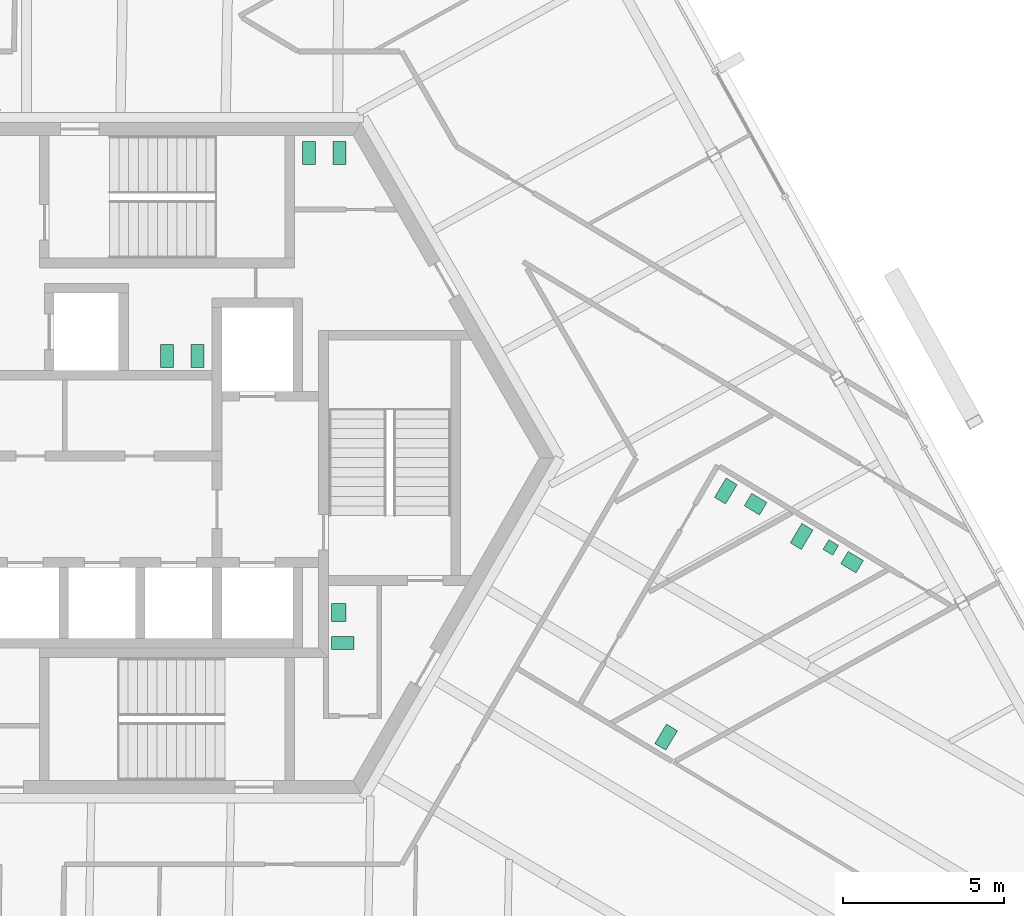
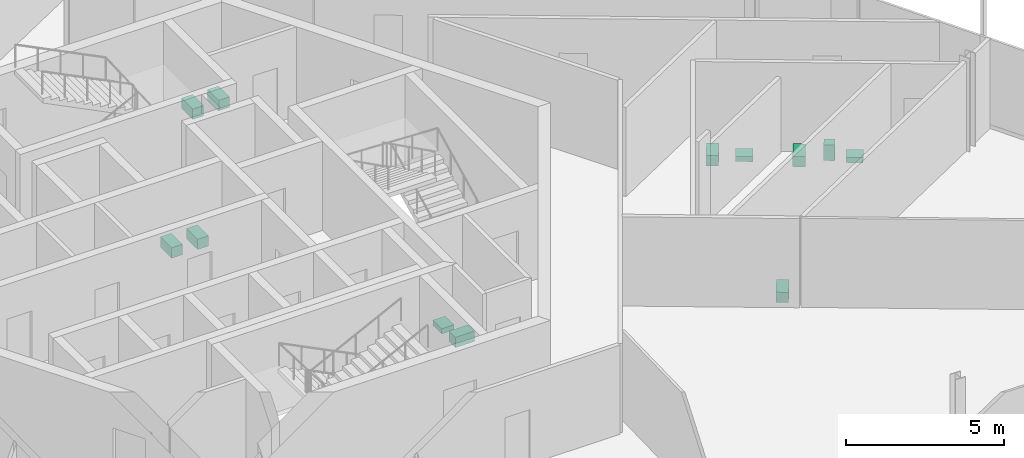
# One storey, part 19 of 21: 12 sanitary terminals.
"""IFC4 building model written with IfcOpenShell, lengths in metres."""

import ifcopenshell
import ifcopenshell.guid

model = None  # the IFC model being written
_history = None  # IfcOwnerHistory: only IFC2X3 demands one
_inside = {}  # id of a spatial element -> (the spatial element, [elements in it])
_under = {}  # id of a project, library or spatial element -> (it, [spatial elements below it])
_declared = {}  # id of a project -> (the project, [libraries it declares])
_typed = {}  # id of a type object -> (the type object, [elements of that type])
_made_of = {}  # id of a material, layer set ... -> (it, [elements and type objects made of it])


def new_model(schema):
    """Start an empty IFC model of exactly this schema.

    Asked for "IFC4X3", IfcOpenShell would pick the latest addendum, in which some entities
    have other attributes; the version numbers below select the first issue.
    IFC2X3 requires an IfcOwnerHistory on every rooted entity: one is made here for all.
    """
    global model, _history
    if schema == "IFC4X3":
        model = ifcopenshell.file(schema_version=(4, 3, 0, 0))
    else:
        model = ifcopenshell.file(schema=schema)
    _inside.clear()
    _under.clear()
    _declared.clear()
    _typed.clear()
    _made_of.clear()
    _history = None
    if model.schema == "IFC2X3":
        org = make("IfcOrganization", Name="unknown")
        user = make(
            "IfcPersonAndOrganization",
            ThePerson=make("IfcPerson", FamilyName="unknown"),
            TheOrganization=org,
        )
        app = make(
            "IfcApplication",
            ApplicationDeveloper=org,
            Version="unknown",
            ApplicationFullName="unknown",
            ApplicationIdentifier="unknown",
        )
        _history = make(
            "IfcOwnerHistory",
            OwningUser=user,
            OwningApplication=app,
            ChangeAction="ADDED",
            CreationDate=0,
        )
    return model


def make(cls, **values):
    """One entity of the class cls with the attributes given. An attribute that is None is left unset."""
    return model.create_entity(
        cls, **{name: value for name, value in values.items() if value is not None}
    )


def rooted(cls, **values):
    """An entity with a GlobalId (a new one), such as an element, a storey or a relation."""
    return make(cls, GlobalId=ifcopenshell.guid.new(), OwnerHistory=_history, **values)


def si_unit(unit_type, name, prefix=None):
    """IfcSIUnit, for example si_unit("LENGTHUNIT", "METRE", prefix="MILLI")."""
    return make("IfcSIUnit", UnitType=unit_type, Prefix=prefix, Name=name)


def assignment(units):
    """IfcUnitAssignment: the units of a project."""
    return None if units is None else make("IfcUnitAssignment", Units=units)


def point(xyz):
    """IfcCartesianPoint."""
    return None if xyz is None else make("IfcCartesianPoint", Coordinates=xyz)


def direction(xyz):
    """IfcDirection."""
    return None if xyz is None else make("IfcDirection", DirectionRatios=xyz)


def frame(location, z_axis=None, x_axis=None):
    """IfcAxis2Placement3D, a coordinate frame: its origin and axes. An axis left out is left unset."""
    return make(
        "IfcAxis2Placement3D",
        Location=point(location),
        Axis=direction(z_axis),
        RefDirection=direction(x_axis),
    )


def frame_2d(location, x_axis=None):
    """IfcAxis2Placement2D, a coordinate frame in the plane: its origin and x axis."""
    return make(
        "IfcAxis2Placement2D", Location=point(location), RefDirection=direction(x_axis)
    )


def origin():
    """The frame at (0, 0, 0) with its axes left unset."""
    return frame((0.0, 0.0, 0.0))


def origin_2d():
    """The frame at (0, 0) in the plane with its x axis left unset."""
    return frame_2d((0.0, 0.0))


def place(relative_to, where):
    """IfcLocalPlacement: puts the frame where relative to a parent placement (None: the world)."""
    return make(
        "IfcLocalPlacement", PlacementRelTo=relative_to, RelativePlacement=where
    )


def context(
    kind, dimensions, precision=None, world=None, true_north=None, identifier=None
):
    """IfcGeometricRepresentationContext, for example the 3D "Model" context."""
    return make(
        "IfcGeometricRepresentationContext",
        ContextIdentifier=identifier,
        ContextType=kind,
        CoordinateSpaceDimension=dimensions,
        Precision=precision,
        WorldCoordinateSystem=world,
        TrueNorth=true_north,
    )


def subcontext(parent, identifier, kind, view, scale=None):
    """IfcGeometricRepresentationSubContext, for example "Body" below "Model"."""
    return make(
        "IfcGeometricRepresentationSubContext",
        ContextIdentifier=identifier,
        ContextType=kind,
        ParentContext=parent,
        TargetScale=scale,
        TargetView=view,
    )


def project(units=None, contexts=None):
    """IfcProject with its units and contexts."""
    return rooted(
        "IfcProject",
        Name="project",
        RepresentationContexts=contexts,
        UnitsInContext=assignment(units),
    )


def spatial(cls, under=None, at=None, **own):
    """A site, building, storey or space (cls), placed at a placement, below another one or the project."""
    s = rooted(cls, ObjectPlacement=at, **own)
    if under is not None:
        _under.setdefault(under.id(), (under, []))[1].append(s)
    return s


def profile(cls, at=None, kind="AREA", **sizes):
    """A parametric profile (cls). Its sizes go by their IFC names, for example OverallWidth=200.0."""
    return make(cls, ProfileType=kind, Position=at, **sizes)


def rectangle(**sizes):
    """IfcRectangleProfileDef."""
    return profile("IfcRectangleProfileDef", **sizes)


def extrude(swept, where, along, depth):
    """IfcExtrudedAreaSolid: the profile swept, set in the frame where, extruded along a direction by depth."""
    return make(
        "IfcExtrudedAreaSolid",
        SweptArea=swept,
        Position=where,
        ExtrudedDirection=direction(along),
        Depth=depth,
    )


def shape(context_of_items, identifier, shape_type, items):
    """IfcShapeRepresentation: the items that make up one representation, for example the "Body"."""
    return make(
        "IfcShapeRepresentation",
        ContextOfItems=context_of_items,
        RepresentationIdentifier=identifier,
        RepresentationType=shape_type,
        Items=items,
    )


def source(mapping_origin, context_of_items, identifier, shape_type, items):
    """IfcRepresentationMap: a shape defined once, which mapped items show again and again."""
    return make(
        "IfcRepresentationMap",
        MappingOrigin=mapping_origin,
        MappedRepresentation=shape(context_of_items, identifier, shape_type, items),
    )


def transform(
    local_origin,
    x_axis=None,
    y_axis=None,
    z_axis=None,
    scale=None,
    scale2=None,
    scale3=None,
    uniform=True,
):
    """IfcCartesianTransformationOperator3D, or its non-uniform kind. x_axis, y_axis, z_axis: its Axis1, 2, 3."""
    if uniform:
        return make(
            "IfcCartesianTransformationOperator3D",
            Axis1=direction(x_axis),
            Axis2=direction(y_axis),
            LocalOrigin=point(local_origin),
            Scale=scale,
            Axis3=direction(z_axis),
        )
    return make(
        "IfcCartesianTransformationOperator3DnonUniform",
        Axis1=direction(x_axis),
        Axis2=direction(y_axis),
        LocalOrigin=point(local_origin),
        Scale=scale,
        Axis3=direction(z_axis),
        Scale2=scale2,
        Scale3=scale3,
    )


def mapped(mapping_source, mapping_target):
    """IfcMappedItem: shows the shape of a source again, moved by a transform."""
    return make(
        "IfcMappedItem", MappingSource=mapping_source, MappingTarget=mapping_target
    )


def material(Name=None, Category=None):
    """IfcMaterial."""
    return make("IfcMaterial", Name=Name, Category=Category)


def made_of(thing, what):
    """Note that an element or type object is made of a material, layer set ...; save() writes the relation."""
    if what is not None:
        _made_of.setdefault(what.id(), (what, []))[1].append(thing)
    return thing


def element(
    cls,
    number,
    at=None,
    inside=None,
    cuts=None,
    type_object=None,
    material=None,
    context=None,
    identifier="Body",
    shape_type=None,
    held_by="IfcProductDefinitionShape",
    body=None,
    shapes=None,
    **own,
):
    """One element of the class cls, such as IfcWall. Its Tag is "e" and its number.

    at: its placement. inside: the storey or other place that contains it. cuts: it is an
    opening in that element (IfcRelVoidsElement). A single representation is given by context,
    identifier, shape_type and body (its items); several are given by shapes. held_by: the class
    of the entity that holds the representations. save() writes the other relations.
    """
    e = rooted(cls, Tag="e%d" % number, ObjectPlacement=at, **own)
    if body is not None:
        shapes = [shape(context, identifier, shape_type, body)]
    if shapes is not None:
        e.Representation = make(held_by, Representations=shapes)
    if inside is not None:
        _inside.setdefault(inside.id(), (inside, []))[1].append(e)
    if cuts is not None:
        rooted(
            "IfcRelVoidsElement", RelatingBuildingElement=cuts, RelatedOpeningElement=e
        )
    if type_object is not None:
        _typed.setdefault(type_object.id(), (type_object, []))[1].append(e)
    return made_of(e, material)


def aggregate(whole, parts):
    """IfcRelAggregates: a whole, such as a stair, and the parts it consists of."""
    return rooted("IfcRelAggregates", RelatingObject=whole, RelatedObjects=parts)


def save(model, path):
    """Write the relations noted so far, then the file.

    IfcRelAggregates (storeys below a building ...), IfcRelContainedInSpatialStructure (elements
    in a storey), IfcRelDefinesByType, IfcRelAssociatesMaterial and IfcRelDeclares: one each for
    every whole, place, type object, material and project.
    """
    for whole, parts in _under.values():
        aggregate(whole, parts)
    for where, things in _inside.values():
        rooted(
            "IfcRelContainedInSpatialStructure",
            RelatedElements=things,
            RelatingStructure=where,
        )
    for kind, things in _typed.values():
        rooted("IfcRelDefinesByType", RelatedObjects=things, RelatingType=kind)
    for what, things in _made_of.values():
        rooted("IfcRelAssociatesMaterial", RelatedObjects=things, RelatingMaterial=what)
    for by, libraries in _declared.values():
        rooted("IfcRelDeclares", RelatingContext=by, RelatedDefinitions=libraries)
    model.write(path)


model = new_model("IFC4")

# Units and contexts
model_context = context("Model", 3, precision=1e-05, world=origin(), true_north=direction((0.0, 1.0)))
body_context = subcontext(model_context, "Body", "Model", "MODEL_VIEW")
ifc_project = project(units=[si_unit("LENGTHUNIT", "METRE"), si_unit("AREAUNIT", "SQUARE_METRE"), si_unit("VOLUMEUNIT", "CUBIC_METRE"), si_unit("PLANEANGLEUNIT", "RADIAN"), si_unit("MASSUNIT", "GRAM", prefix="KILO")], contexts=[model_context])

# Site, building, storey
site_placement = place(None, origin())
site = spatial("IfcSite", under=ifc_project, at=site_placement, CompositionType="ELEMENT")
building_placement = place(site_placement, origin())
building = spatial("IfcBuilding", under=site, at=building_placement, Name="Triune Harvest Tower", CompositionType="ELEMENT")
storey_placement = place(building_placement, frame((0.0, 0.0, 201.5)))
storey = spatial("IfcBuildingStorey", under=building, at=storey_placement, Name="L52", CompositionType="ELEMENT", Elevation=201.5)

# Sanitary terminals
ifc_material = material(Name="Vitreous china")
shared_shape_1 = source(origin(), body_context, "Body", "SweptSolid", [
    extrude(rectangle(XDim=0.39990234375, YDim=0.699951171875, at=origin_2d()), origin(), (0.0, 0.0, 1.0), 0.39990234375),
])
for number, where, z_axis, x_axis, name in (
    (1, (4.39990234375, 9.449951171875, 0.0), (0.0, 0.0, 1.0), (1.0, 0.0, 0.0), "Toilet pan L52.c01"),
    (2, (5.35009765625, 9.449951171875, 0.0), (0.0, 0.0, 1.0), (1.0, 0.0, 0.0), "Toilet pan L52.c02"),
    (3, (0.949951171875, 3.159912109375, 0.0), (0.0, 0.0, 1.0), (-1.0, 0.0, 0.0), "Toilet pan L52.c03"),
    (4, (0.0, 3.159912109375, 0.0), (0.0, 0.0, 1.0), (-1.0, 0.0, 0.0), "Toilet pan L52.c04"),
    (5, (5.449951171875, -5.739990234375, 0.0), (0.0, 0.0, 1.0), (0.0, 1.0, 0.0), "Toilet pan L52.c05"),
    (6, (15.467041015625, -8.65185546875, 0.0), (0.0, 0.0, 1.0), (-0.857167300702, 0.51503807491, 0.0), "Toilet pan 01"),
    (7, (19.6640625, -2.4345703125, 0.0), (0.0, 0.0, 1.0), (0.857158311461, -0.515053035223, 0.0), "Toilet pan 02"),
    (8, (17.31689453125, -1.024169921875, 0.0), (0.0, 0.0, 1.0), (0.857167300702, -0.51503807491, 0.0), "Toilet pan 05"),
):
    element("IfcSanitaryTerminal", number, at=place(storey_placement, frame(where, z_axis=z_axis, x_axis=x_axis)), inside=storey, material=ifc_material, Name=name, PredefinedType="TOILETPAN", context=body_context, shape_type="MappedRepresentation", body=[
        mapped(shared_shape_1, transform((0.0, 0.0, 0.0), scale=1.0)),
    ])
shared_shape_2 = source(origin(), body_context, "Body", "SweptSolid", [
    extrude(rectangle(XDim=0.35009765625, YDim=0.35009765625, at=origin_2d()), origin(), (0.0, 0.0, 1.0), 0.60009765625),
])
sanitary_terminal_placement = place(storey_placement, frame((20.568359375, -2.773681640625, 0.0), z_axis=(0.0, 0.0, 1.0), x_axis=(0.857158311461, -0.515053035223, 0.0)))
element("IfcSanitaryTerminal", 9, at=sanitary_terminal_placement, inside=storey, material=ifc_material, Name="Urinal 03", PredefinedType="URINAL", context=body_context, shape_type="MappedRepresentation", body=[
    mapped(shared_shape_2, transform((0.0, 0.0, 0.0), scale=1.0)),
])
shared_shape_3 = source(origin(), body_context, "Body", "SweptSolid", [
    extrude(rectangle(XDim=0.550048828125, YDim=0.449951171875, at=origin_2d()), origin(), (0.0, 0.0, 1.0), 0.199951171875),
])
for number, where, z_axis, x_axis, name in (
    (10, (5.324951171875, -4.7900390625, 0.0), (0.0, 0.0, 1.0), (0.0, 1.0, 0.0), "Wash basin L52.c06"),
    (11, (21.228515625, -3.228759765625, 0.0), (0.0, 0.0, 1.0), (0.857158311461, -0.515053035223, 0.0), "Wash basin 04"),
    (12, (18.23828125, -1.43212890625, 0.0), (0.0, 0.0, 1.0), (0.857167300702, -0.51503807491, 0.0), "Wash basin 06"),
):
    element("IfcSanitaryTerminal", number, at=place(storey_placement, frame(where, z_axis=z_axis, x_axis=x_axis)), inside=storey, material=ifc_material, Name=name, PredefinedType="WASHHANDBASIN", context=body_context, shape_type="MappedRepresentation", body=[
        mapped(shared_shape_3, transform((0.0, 0.0, 0.0), scale=1.0)),
    ])

save(model, "model.ifc")
